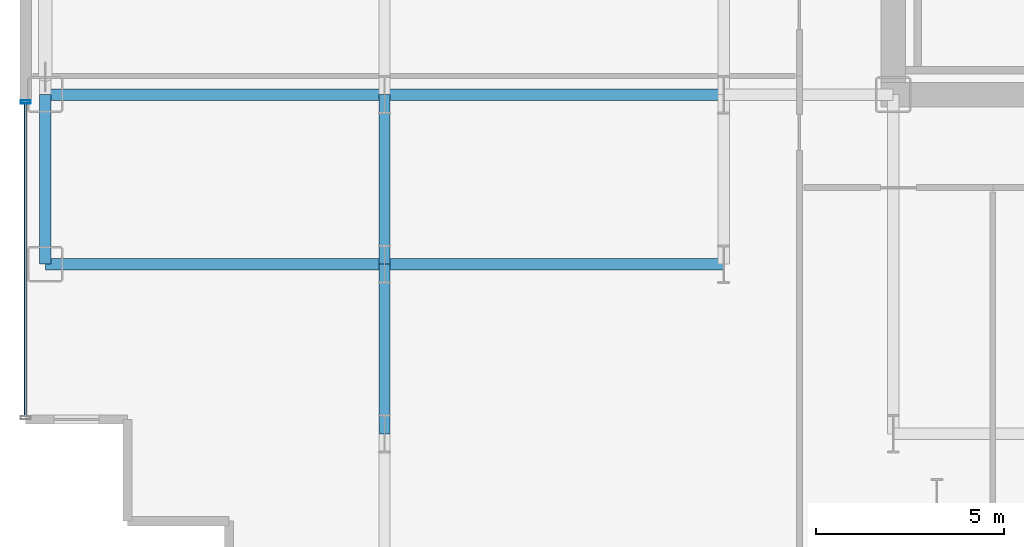
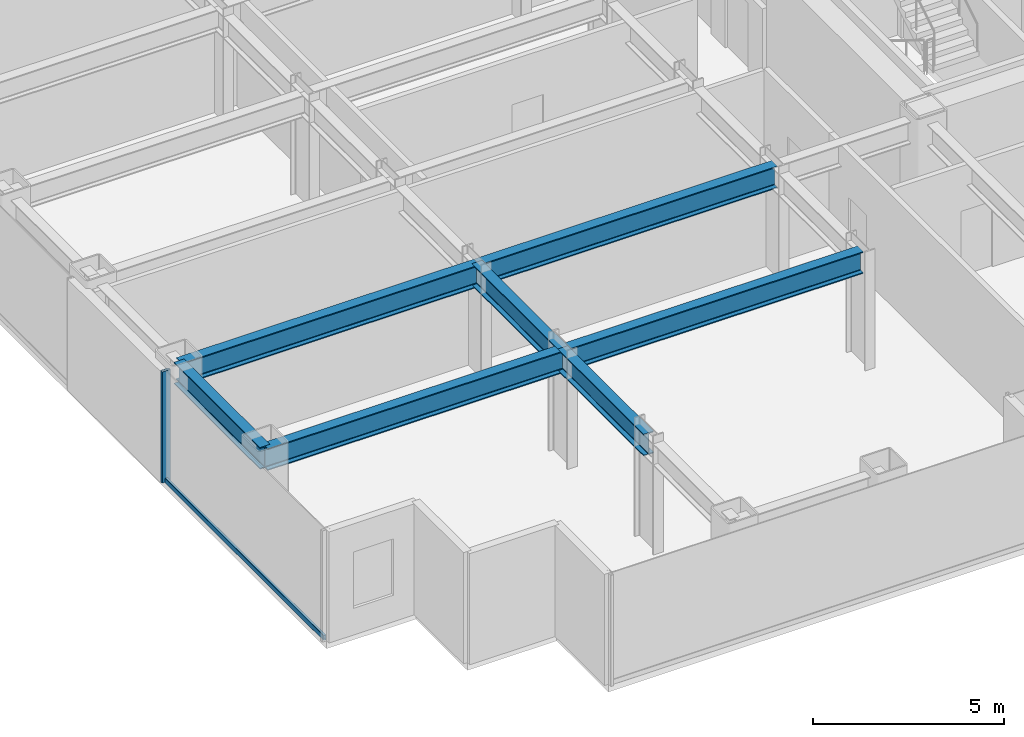
# One storey, part 3 of 29: 7 beams, 2 members, 1 element without a shape of its own.
"""IFC4 building model written with IfcOpenShell, lengths in metres."""

from ifc_helpers import new_model, si_unit, direction, frame, origin, origin_2d, place, context, subcontext, project, spatial, hollow_rectangle, i_section, extrude, source, transform, mapped, material, layer, layer_set, material_profile, profile_set, type_object, element, aggregate, save


model = new_model("IFC4")

# Units and contexts
model_context = context("Model", 3, precision=1e-05, world=origin(), true_north=direction((0.0, 1.0)))
body_context = subcontext(model_context, "Body", "Model", "MODEL_VIEW")
ifc_project = project(units=[si_unit("LENGTHUNIT", "METRE"), si_unit("AREAUNIT", "SQUARE_METRE"), si_unit("VOLUMEUNIT", "CUBIC_METRE"), si_unit("PLANEANGLEUNIT", "RADIAN"), si_unit("MASSUNIT", "GRAM", prefix="KILO")], contexts=[model_context])

# Site, building, storey
site_placement = place(None, origin())
site = spatial("IfcSite", under=ifc_project, at=site_placement, CompositionType="ELEMENT")
building_placement = place(site_placement, origin())
building = spatial("IfcBuilding", under=site, at=building_placement, Name="Nefas-Gora Pilgrimage Tower", CompositionType="ELEMENT")
storey_placement = place(building_placement, frame((0.0, 0.0, 44.39990234375)))
storey = spatial("IfcBuildingStorey", under=building, at=storey_placement, Name="L09", CompositionType="ELEMENT", Elevation=44.39990234375)

# Beams
ifc_material_1 = material(Name="Steel S355", Category="steel")
ifc_material_profile_1 = material_profile(ifc_material_1, i_section(OverallWidth=0.300048828125, OverallDepth=0.699951171875, WebThickness=0.01708984375, FlangeThickness=0.031982421875, FilletRadius=0.027099609375, at=origin_2d()), Name="HEB 700")
ifc_profile_set_1 = profile_set([ifc_material_profile_1], Name="Steel S355")
beam_type_1 = type_object("IfcBeamType", Name="BM-SPN-HEB600", PredefinedType="SPANDREL", material=ifc_profile_set_1)
shared_shape_1 = source(origin(), body_context, "Body", "SweptSolid", [
    extrude(i_section(OverallWidth=0.300048828125, OverallDepth=0.699951171875, WebThickness=0.01708984375, FlangeThickness=0.031982421875, FilletRadius=0.027099609375, at=origin_2d()), origin(), (0.0, 0.0, 1.0), 4.5),
])
beam_placement = place(storey_placement, frame((-33.75, -13.5, 3.2001953125), z_axis=(0.0, 1.0, 0.0), x_axis=(-1.0, 0.0, 0.0)))
element("IfcBeam", 1, at=beam_placement, inside=storey, type_object=beam_type_1, Name="L09 SP-01 beam", PredefinedType="SPANDREL", context=body_context, shape_type="MappedRepresentation", body=[
    mapped(shared_shape_1, transform((0.0, 0.0, 0.0), x_axis=(1.0, 0.0, 0.0), y_axis=(0.0, 1.0, 0.0), z_axis=(0.0, 0.0, 1.0), scale=1.0)),
])
ifc_material_profile_2 = material_profile(ifc_material_1, i_section(OverallWidth=0.300048828125, OverallDepth=0.699951171875, WebThickness=0.01708984375, FlangeThickness=0.031982421875, FilletRadius=0.027099609375, at=origin_2d()), Name="HEB 700")
ifc_profile_set_2 = profile_set([ifc_material_profile_2], Name="Steel S355")
beam_type_2 = type_object("IfcBeamType", Name="BM-GIR-HEB700", PredefinedType="BEAM", material=ifc_profile_set_2)
shared_shape_2 = source(origin(), body_context, "Body", "SweptSolid", [
    extrude(i_section(OverallWidth=0.300048828125, OverallDepth=0.699951171875, WebThickness=0.01708984375, FlangeThickness=0.031982421875, FilletRadius=0.027099609375, at=origin_2d()), origin(), (0.0, 0.0, 1.0), 9.0),
])
for number, where, z_axis, x_axis, name in (
    (2, (-33.75, -13.5, 3.2001953125), (1.0, 0.0, 0.0), (0.0, 1.0, 0.0), "L09 G-02 beam"),
    (3, (-33.75, -9.0, 3.2001953125), (1.0, 0.0, 0.0), (0.0, 1.0, 0.0), "L09 G-02 beam"),
    (4, (-24.75, -13.5, 3.2001953125), (1.0, 0.0, 0.0), (0.0, 1.0, 0.0), "L09 G-02 beam"),
    (5, (-24.75, -9.0, 3.2001953125), (1.0, 0.0, 0.0), (0.0, 1.0, 0.0), "L09 G-02 beam"),
):
    element("IfcBeam", number, at=place(storey_placement, frame(where, z_axis=z_axis, x_axis=x_axis)), inside=storey, type_object=beam_type_2, Name=name, PredefinedType="BEAM", context=body_context, shape_type="MappedRepresentation", body=[
        mapped(shared_shape_2, transform((0.0, 0.0, 0.0), x_axis=(1.0, 0.0, 0.0), y_axis=(0.0, 1.0, 0.0), z_axis=(0.0, 0.0, 1.0), scale=1.0)),
    ])
shared_shape_3 = source(origin(), body_context, "Body", "SweptSolid", [
    extrude(i_section(OverallWidth=0.300048828125, OverallDepth=0.699951171875, WebThickness=0.01708984375, FlangeThickness=0.031982421875, FilletRadius=0.027099609375, at=origin_2d()), origin(), (0.0, 0.0, 1.0), 4.5),
])
for number, where, z_axis, x_axis, name in (
    (6, (-24.75, -18.0, 3.2001953125), (0.0, 1.0, 0.0), (-1.0, 0.0, 0.0), "L09 G-02 beam"),
    (7, (-24.75, -13.5, 3.2001953125), (0.0, 1.0, 0.0), (-1.0, 0.0, 0.0), "L09 G-02 beam"),
):
    element("IfcBeam", number, at=place(storey_placement, frame(where, z_axis=z_axis, x_axis=x_axis)), inside=storey, type_object=beam_type_2, Name=name, PredefinedType="BEAM", context=body_context, shape_type="MappedRepresentation", body=[
        mapped(shared_shape_3, transform((0.0, 0.0, 0.0), x_axis=(1.0, 0.0, 0.0), y_axis=(0.0, 1.0, 0.0), z_axis=(0.0, 0.0, 1.0), scale=1.0)),
    ])

# Curtain wall, members
ifc_material_2 = material(Name="Dark ceramic-fritted solar-control aluminium-glass curtain wall", Category="aluminium")
ifc_layer = layer(ifc_material_2, 0.219970703125)
ifc_layer_set = layer_set([ifc_layer], Name="Dark ceramic-fritted solar-control aluminium-glass curtain wall")
curtain_wall_type = type_object("IfcCurtainWallType", Name="CW-SYS-2", PredefinedType="NOTDEFINED", material=ifc_layer_set)
curtain_wall_placement = place(storey_placement, origin())
curtain_wall = element("IfcCurtainWall", 8, at=curtain_wall_placement, inside=storey, type_object=curtain_wall_type, Name="L09 Unitised Curtain Wall CW2", PredefinedType="NOTDEFINED")
ifc_material_3 = material(Name="Anodised architectural aluminium", Category="aluminium")
ifc_material_profile_3 = material_profile(ifc_material_3, hollow_rectangle(XDim=0.090087890625, YDim=0.260009765625, WallThickness=0.006103515625, InnerFilletRadius=0.006103515625, OuterFilletRadius=0.011962890625, at=origin_2d()), Name="ALU MULLION 90x260")
ifc_profile_set_3 = profile_set([ifc_material_profile_3], Name="Anodised architectural aluminium")
member_type_1 = type_object("IfcMemberType", Name="CWM-MUL-2", PredefinedType="MULLION", material=ifc_profile_set_3)
shared_shape_4 = source(origin(), body_context, "Body", "SweptSolid", [
    extrude(hollow_rectangle(XDim=0.090087890625, YDim=0.260009765625, WallThickness=0.006103515625, InnerFilletRadius=0.006103515625, OuterFilletRadius=0.011962890625, at=origin_2d()), origin(), (0.0, 0.0, 1.0), 3.550048828125),
])
member_1_placement = place(storey_placement, frame((-34.27001953125, -9.195068359375, 0.0), z_axis=(0.0, 0.0, 1.0), x_axis=(0.0, -1.0, 0.0)))
member_1 = element("IfcMember", 9, at=member_1_placement, type_object=member_type_1, Name="CW2 Mullion 1", PredefinedType="MULLION", context=body_context, shape_type="MappedRepresentation", body=[
    mapped(shared_shape_4, transform((0.0, 0.0, 0.0), x_axis=(1.0, 0.0, 0.0), y_axis=(0.0, 1.0, 0.0), z_axis=(0.0, 0.0, 1.0), scale=1.0)),
])
ifc_material_profile_4 = material_profile(ifc_material_3, hollow_rectangle(XDim=0.080078125, YDim=0.159912109375, WallThickness=0.00439453125, InnerFilletRadius=0.00439453125, OuterFilletRadius=0.009033203125, at=origin_2d()), Name="ALU TRANSOM 80x160")
ifc_profile_set_4 = profile_set([ifc_material_profile_4], Name="Anodised architectural aluminium")
member_type_2 = type_object("IfcMemberType", Name="CWM-TRN-2", PredefinedType="USERDEFINED", material=ifc_profile_set_4)
shared_shape_5 = source(origin(), body_context, "Body", "SweptSolid", [
    extrude(hollow_rectangle(XDim=0.080078125, YDim=0.159912109375, WallThickness=0.00439453125, InnerFilletRadius=0.00439453125, OuterFilletRadius=0.009033203125, at=origin_2d()), origin(), (0.0, 0.0, 1.0), 8.2900390625),
])
member_2_placement = place(storey_placement, frame((-34.27001953125, -9.239990234375, 0.050048828125), z_axis=(0.0, -1.0, 0.0), x_axis=(1.0, 0.0, 0.0)))
member_2 = element("IfcMember", 10, at=member_2_placement, type_object=member_type_2, Name="CW2 Spandrel Transom", ObjectType="TRANSOM", PredefinedType="USERDEFINED", context=body_context, shape_type="MappedRepresentation", body=[
    mapped(shared_shape_5, transform((0.0, 0.0, 0.0), x_axis=(1.0, 0.0, 0.0), y_axis=(0.0, 1.0, 0.0), z_axis=(0.0, 0.0, 1.0), scale=1.0)),
])
aggregate(curtain_wall, [member_1, member_2])

save(model, "model.ifc")
